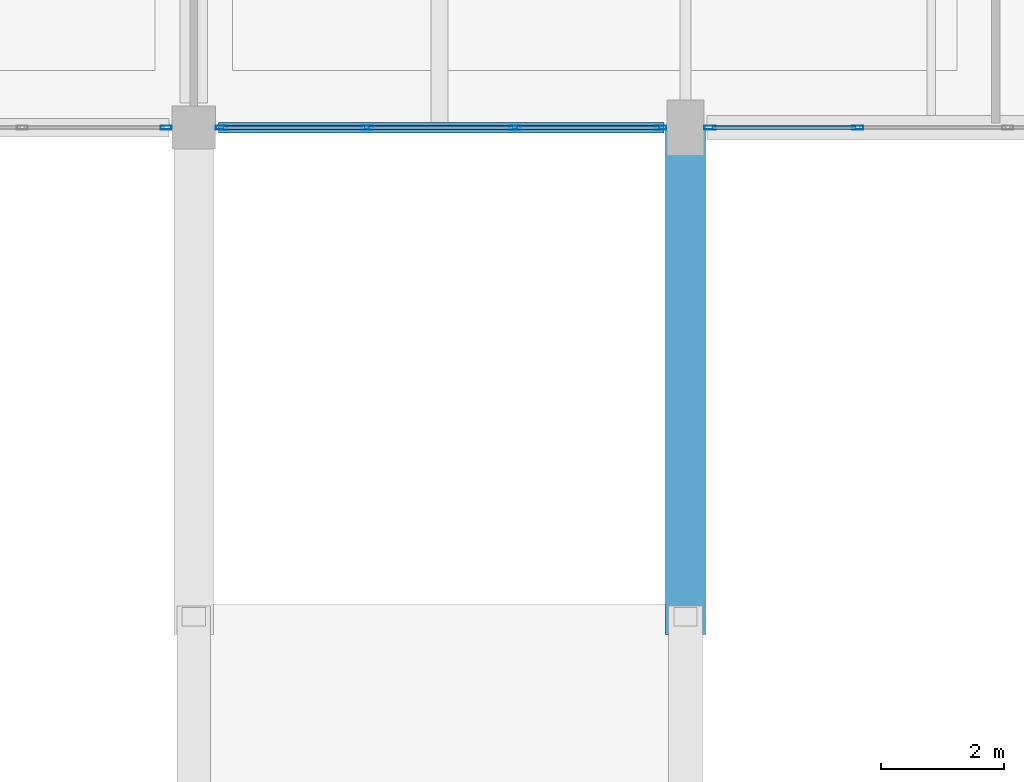
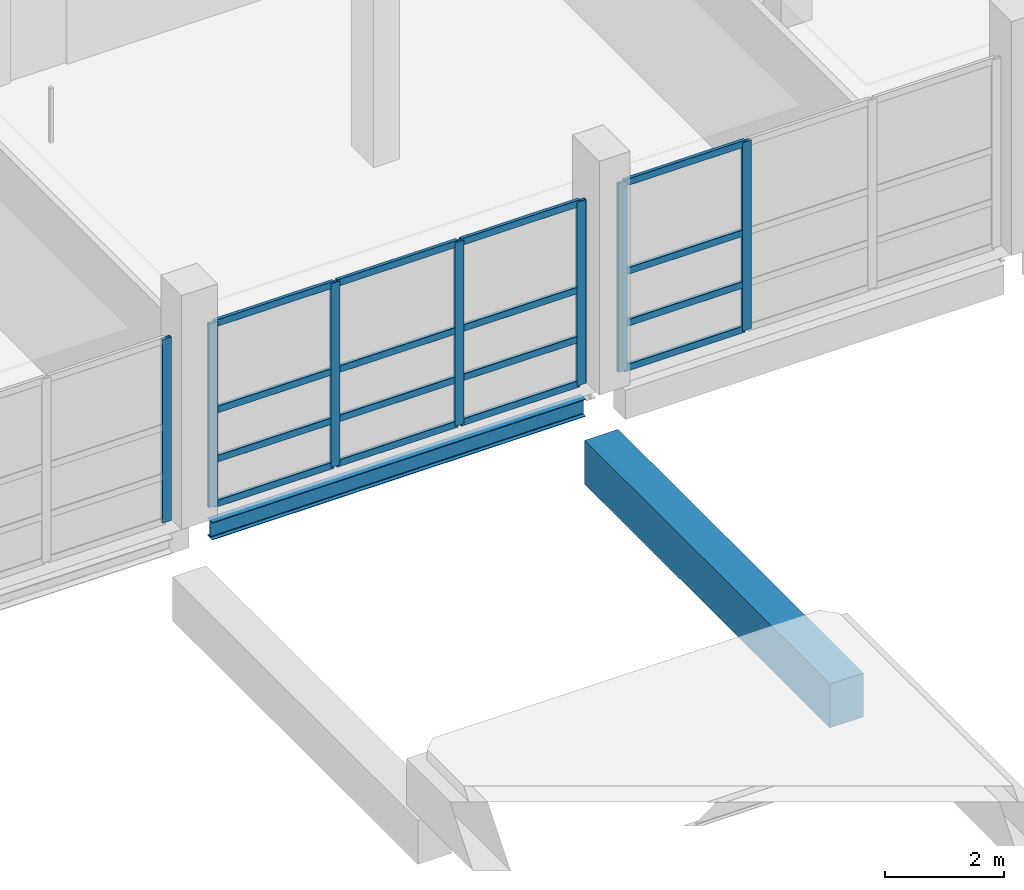
# One storey, part 51 of 107: 23 members, 2 beams, 3 elements without a shape of their own.
"""IFC4 building model written with IfcOpenShell, lengths in metres."""

import ifcopenshell
import ifcopenshell.guid

model = None  # the IFC model being written
_history = None  # IfcOwnerHistory: only IFC2X3 demands one
_inside = {}  # id of a spatial element -> (the spatial element, [elements in it])
_under = {}  # id of a project, library or spatial element -> (it, [spatial elements below it])
_declared = {}  # id of a project -> (the project, [libraries it declares])
_typed = {}  # id of a type object -> (the type object, [elements of that type])
_made_of = {}  # id of a material, layer set ... -> (it, [elements and type objects made of it])


def new_model(schema):
    """Start an empty IFC model of exactly this schema.

    Asked for "IFC4X3", IfcOpenShell would pick the latest addendum, in which some entities
    have other attributes; the version numbers below select the first issue.
    IFC2X3 requires an IfcOwnerHistory on every rooted entity: one is made here for all.
    """
    global model, _history
    if schema == "IFC4X3":
        model = ifcopenshell.file(schema_version=(4, 3, 0, 0))
    else:
        model = ifcopenshell.file(schema=schema)
    _inside.clear()
    _under.clear()
    _declared.clear()
    _typed.clear()
    _made_of.clear()
    _history = None
    if model.schema == "IFC2X3":
        org = make("IfcOrganization", Name="unknown")
        user = make(
            "IfcPersonAndOrganization",
            ThePerson=make("IfcPerson", FamilyName="unknown"),
            TheOrganization=org,
        )
        app = make(
            "IfcApplication",
            ApplicationDeveloper=org,
            Version="unknown",
            ApplicationFullName="unknown",
            ApplicationIdentifier="unknown",
        )
        _history = make(
            "IfcOwnerHistory",
            OwningUser=user,
            OwningApplication=app,
            ChangeAction="ADDED",
            CreationDate=0,
        )
    return model


def make(cls, **values):
    """One entity of the class cls with the attributes given. An attribute that is None is left unset."""
    return model.create_entity(
        cls, **{name: value for name, value in values.items() if value is not None}
    )


def rooted(cls, **values):
    """An entity with a GlobalId (a new one), such as an element, a storey or a relation."""
    return make(cls, GlobalId=ifcopenshell.guid.new(), OwnerHistory=_history, **values)


def si_unit(unit_type, name, prefix=None):
    """IfcSIUnit, for example si_unit("LENGTHUNIT", "METRE", prefix="MILLI")."""
    return make("IfcSIUnit", UnitType=unit_type, Prefix=prefix, Name=name)


def assignment(units):
    """IfcUnitAssignment: the units of a project."""
    return None if units is None else make("IfcUnitAssignment", Units=units)


def point(xyz):
    """IfcCartesianPoint."""
    return None if xyz is None else make("IfcCartesianPoint", Coordinates=xyz)


def direction(xyz):
    """IfcDirection."""
    return None if xyz is None else make("IfcDirection", DirectionRatios=xyz)


def frame(location, z_axis=None, x_axis=None):
    """IfcAxis2Placement3D, a coordinate frame: its origin and axes. An axis left out is left unset."""
    return make(
        "IfcAxis2Placement3D",
        Location=point(location),
        Axis=direction(z_axis),
        RefDirection=direction(x_axis),
    )


def frame_2d(location, x_axis=None):
    """IfcAxis2Placement2D, a coordinate frame in the plane: its origin and x axis."""
    return make(
        "IfcAxis2Placement2D", Location=point(location), RefDirection=direction(x_axis)
    )


def origin():
    """The frame at (0, 0, 0) with its axes left unset."""
    return frame((0.0, 0.0, 0.0))


def origin_2d():
    """The frame at (0, 0) in the plane with its x axis left unset."""
    return frame_2d((0.0, 0.0))


def place(relative_to, where):
    """IfcLocalPlacement: puts the frame where relative to a parent placement (None: the world)."""
    return make(
        "IfcLocalPlacement", PlacementRelTo=relative_to, RelativePlacement=where
    )


def context(
    kind, dimensions, precision=None, world=None, true_north=None, identifier=None
):
    """IfcGeometricRepresentationContext, for example the 3D "Model" context."""
    return make(
        "IfcGeometricRepresentationContext",
        ContextIdentifier=identifier,
        ContextType=kind,
        CoordinateSpaceDimension=dimensions,
        Precision=precision,
        WorldCoordinateSystem=world,
        TrueNorth=true_north,
    )


def subcontext(parent, identifier, kind, view, scale=None):
    """IfcGeometricRepresentationSubContext, for example "Body" below "Model"."""
    return make(
        "IfcGeometricRepresentationSubContext",
        ContextIdentifier=identifier,
        ContextType=kind,
        ParentContext=parent,
        TargetScale=scale,
        TargetView=view,
    )


def project(units=None, contexts=None):
    """IfcProject with its units and contexts."""
    return rooted(
        "IfcProject",
        Name="project",
        RepresentationContexts=contexts,
        UnitsInContext=assignment(units),
    )


def spatial(cls, under=None, at=None, **own):
    """A site, building, storey or space (cls), placed at a placement, below another one or the project."""
    s = rooted(cls, ObjectPlacement=at, **own)
    if under is not None:
        _under.setdefault(under.id(), (under, []))[1].append(s)
    return s


def profile(cls, at=None, kind="AREA", **sizes):
    """A parametric profile (cls). Its sizes go by their IFC names, for example OverallWidth=200.0."""
    return make(cls, ProfileType=kind, Position=at, **sizes)


def rectangle(**sizes):
    """IfcRectangleProfileDef."""
    return profile("IfcRectangleProfileDef", **sizes)


def hollow_rectangle(**sizes):
    """IfcRectangleHollowProfileDef."""
    return profile("IfcRectangleHollowProfileDef", **sizes)


def i_section(**sizes):
    """IfcIShapeProfileDef."""
    return profile("IfcIShapeProfileDef", **sizes)


def extrude(swept, where, along, depth):
    """IfcExtrudedAreaSolid: the profile swept, set in the frame where, extruded along a direction by depth."""
    return make(
        "IfcExtrudedAreaSolid",
        SweptArea=swept,
        Position=where,
        ExtrudedDirection=direction(along),
        Depth=depth,
    )


def shape(context_of_items, identifier, shape_type, items):
    """IfcShapeRepresentation: the items that make up one representation, for example the "Body"."""
    return make(
        "IfcShapeRepresentation",
        ContextOfItems=context_of_items,
        RepresentationIdentifier=identifier,
        RepresentationType=shape_type,
        Items=items,
    )


def material(Name=None, Category=None):
    """IfcMaterial."""
    return make("IfcMaterial", Name=Name, Category=Category)


def material_profile(
    of_material, cross_section, Name=None, Category=None, Priority=None
):
    """IfcMaterialProfile: a cross section and its material."""
    return make(
        "IfcMaterialProfile",
        Name=Name,
        Material=of_material,
        Profile=cross_section,
        Priority=Priority,
        Category=Category,
    )


def profile_set(profiles, Name=None, composite=None):
    """IfcMaterialProfileSet."""
    return make(
        "IfcMaterialProfileSet",
        Name=Name,
        MaterialProfiles=profiles,
        CompositeProfile=composite,
    )


def made_of(thing, what):
    """Note that an element or type object is made of a material, layer set ...; save() writes the relation."""
    if what is not None:
        _made_of.setdefault(what.id(), (what, []))[1].append(thing)
    return thing


def type_object(cls, material=None, **own):
    """A type object (cls), such as IfcWallType, which elements share."""
    return made_of(rooted(cls, **own), material)


def element(
    cls,
    number,
    at=None,
    inside=None,
    cuts=None,
    type_object=None,
    material=None,
    context=None,
    identifier="Body",
    shape_type=None,
    held_by="IfcProductDefinitionShape",
    body=None,
    shapes=None,
    **own,
):
    """One element of the class cls, such as IfcWall. Its Tag is "e" and its number.

    at: its placement. inside: the storey or other place that contains it. cuts: it is an
    opening in that element (IfcRelVoidsElement). A single representation is given by context,
    identifier, shape_type and body (its items); several are given by shapes. held_by: the class
    of the entity that holds the representations. save() writes the other relations.
    """
    e = rooted(cls, Tag="e%d" % number, ObjectPlacement=at, **own)
    if body is not None:
        shapes = [shape(context, identifier, shape_type, body)]
    if shapes is not None:
        e.Representation = make(held_by, Representations=shapes)
    if inside is not None:
        _inside.setdefault(inside.id(), (inside, []))[1].append(e)
    if cuts is not None:
        rooted(
            "IfcRelVoidsElement", RelatingBuildingElement=cuts, RelatedOpeningElement=e
        )
    if type_object is not None:
        _typed.setdefault(type_object.id(), (type_object, []))[1].append(e)
    return made_of(e, material)


def aggregate(whole, parts):
    """IfcRelAggregates: a whole, such as a stair, and the parts it consists of."""
    return rooted("IfcRelAggregates", RelatingObject=whole, RelatedObjects=parts)


def save(model, path):
    """Write the relations noted so far, then the file.

    IfcRelAggregates (storeys below a building ...), IfcRelContainedInSpatialStructure (elements
    in a storey), IfcRelDefinesByType, IfcRelAssociatesMaterial and IfcRelDeclares: one each for
    every whole, place, type object, material and project.
    """
    for whole, parts in _under.values():
        aggregate(whole, parts)
    for where, things in _inside.values():
        rooted(
            "IfcRelContainedInSpatialStructure",
            RelatedElements=things,
            RelatingStructure=where,
        )
    for kind, things in _typed.values():
        rooted("IfcRelDefinesByType", RelatedObjects=things, RelatingType=kind)
    for what, things in _made_of.values():
        rooted("IfcRelAssociatesMaterial", RelatedObjects=things, RelatingMaterial=what)
    for by, libraries in _declared.values():
        rooted("IfcRelDeclares", RelatingContext=by, RelatedDefinitions=libraries)
    model.write(path)


model = new_model("IFC4")

# Units and contexts
model_context = context("Model", 3, precision=1e-05, world=origin(), true_north=direction((0.0, 1.0)))
body_context = subcontext(model_context, "Body", "Model", "MODEL_VIEW")
ifc_project = project(units=[si_unit("LENGTHUNIT", "METRE"), si_unit("AREAUNIT", "SQUARE_METRE"), si_unit("VOLUMEUNIT", "CUBIC_METRE"), si_unit("PLANEANGLEUNIT", "RADIAN"), si_unit("MASSUNIT", "GRAM", prefix="KILO")], contexts=[model_context])

# Site, building, storey
site_placement = place(None, origin())
site = spatial("IfcSite", under=ifc_project, at=site_placement, CompositionType="ELEMENT")
building_placement = place(site_placement, origin())
building = spatial("IfcBuilding", under=site, at=building_placement, Name="Khelvaren Railside Concert Hall", CompositionType="ELEMENT")
storey_placement = place(building_placement, frame((0.0, 0.0, 15.0)))
storey = spatial("IfcBuildingStorey", under=building, at=storey_placement, Name="L03", CompositionType="ELEMENT", Elevation=15.0)

# Beam
ifc_material_1 = material(Name="Concrete C40/50", Category="concrete")
ifc_material_profile_1 = material_profile(ifc_material_1, rectangle(XDim=0.64990234375, YDim=0.89990234375, at=origin_2d()), Name="RCB 650x900")
ifc_profile_set_1 = profile_set([ifc_material_profile_1], Name="Concrete C40/50")
beam_type_1 = type_object("IfcBeamType", Name="BM18", PredefinedType="BEAM", material=ifc_profile_set_1)
beam_1_placement = place(storey_placement, frame((168.0, 82.949951171875, -1.639892578125), z_axis=(0.0, 1.0, 0.0), x_axis=(-1.0, 0.0, 0.0)))
element("IfcBeam", 1, at=beam_1_placement, inside=storey, type_object=beam_type_1, Name="East Backstage Artist Link Bridge L03 Seismic Corbel Seat 2", PredefinedType="BEAM", context=body_context, shape_type="SweptSolid", body=[
    extrude(rectangle(XDim=0.64990234375, YDim=0.89990234375, at=origin_2d()), origin(), (0.0, 0.0, 1.0), 8.25),
])

# Curtain wall, member
ifc_material_2 = material(Name="Double-glazed low-E dark acoustic glass", Category="glass")
curtain_wall_type_1 = type_object("IfcCurtainWallType", Name="CW69", PredefinedType="USERDEFINED", material=ifc_material_2)
curtain_wall_1_placement = place(storey_placement, origin())
curtain_wall_1 = element("IfcCurtainWall", 2, at=curtain_wall_1_placement, inside=storey, type_object=curtain_wall_type_1, Name="Unitised Curtain Wall CW-V5-L03-S-152", ObjectType="UNITISED CURTAIN WALL", PredefinedType="USERDEFINED")
ifc_material_3 = material(Name="Anodised architectural aluminium 6063-T6", Category="aluminium")
ifc_material_profile_2 = material_profile(ifc_material_3, hollow_rectangle(XDim=0.06494140625, YDim=0.179931640625, WallThickness=0.00390625, InnerFilletRadius=0.001953125, OuterFilletRadius=0.00390625, at=origin_2d()), Name="CWM 65x180x4")
ifc_profile_set_2 = profile_set([ifc_material_profile_2], Name="Anodised architectural aluminium 6063-T6")
member_type_1 = type_object("IfcMemberType", Name="CWM63", PredefinedType="MULLION", material=ifc_profile_set_2)
member_1_placement = place(storey_placement, frame((159.550048828125, 91.199951171875, 0.0), z_axis=(0.0, 0.0, 1.0), x_axis=(0.0, -1.0, 0.0)))
member_1 = element("IfcMember", 3, at=member_1_placement, type_object=member_type_1, Name="CW69 mullion 1", PredefinedType="MULLION", context=body_context, shape_type="SweptSolid", body=[
    extrude(hollow_rectangle(XDim=0.06494140625, YDim=0.179931640625, WallThickness=0.00390625, InnerFilletRadius=0.001953125, OuterFilletRadius=0.00390625, at=origin_2d()), origin(), (0.0, 0.0, 1.0), 3.77001953125),
])
aggregate(curtain_wall_1, [member_1])

# Curtain wall, members
curtain_wall_type_2 = type_object("IfcCurtainWallType", Name="CW32", PredefinedType="USERDEFINED", material=ifc_material_2)
curtain_wall_2_placement = place(storey_placement, origin())
curtain_wall_2 = element("IfcCurtainWall", 4, at=curtain_wall_2_placement, inside=storey, type_object=curtain_wall_type_2, Name="Unitised Curtain Wall CW-V5-L03-S-160", ObjectType="UNITISED CURTAIN WALL", PredefinedType="USERDEFINED")
member_2_placement = place(storey_placement, frame((167.60009765625, 91.199951171875, 0.0), z_axis=(0.0, 0.0, 1.0), x_axis=(0.0, -1.0, 0.0)))
member_2 = element("IfcMember", 5, at=member_2_placement, type_object=member_type_1, Name="CW32 mullion 1", PredefinedType="MULLION", context=body_context, shape_type="SweptSolid", body=[
    extrude(hollow_rectangle(XDim=0.06494140625, YDim=0.179931640625, WallThickness=0.00390625, InnerFilletRadius=0.001953125, OuterFilletRadius=0.00390625, at=origin_2d()), origin(), (0.0, 0.0, 1.0), 3.77001953125),
])
member_3_placement = place(storey_placement, frame((165.2275390625, 91.199951171875, 0.0), z_axis=(0.0, 0.0, 1.0), x_axis=(0.0, -1.0, 0.0)))
member_3 = element("IfcMember", 6, at=member_3_placement, type_object=member_type_1, Name="CW32 mullion 2", PredefinedType="MULLION", context=body_context, shape_type="SweptSolid", body=[
    extrude(hollow_rectangle(XDim=0.06494140625, YDim=0.179931640625, WallThickness=0.00390625, InnerFilletRadius=0.001953125, OuterFilletRadius=0.00390625, at=origin_2d()), origin(), (0.0, 0.0, 1.0), 3.77001953125),
])
member_4_placement = place(storey_placement, frame((162.822509765625, 91.199951171875, 0.0), z_axis=(0.0, 0.0, 1.0), x_axis=(0.0, -1.0, 0.0)))
member_4 = element("IfcMember", 7, at=member_4_placement, type_object=member_type_1, Name="CW32 mullion 3", PredefinedType="MULLION", context=body_context, shape_type="SweptSolid", body=[
    extrude(hollow_rectangle(XDim=0.06494140625, YDim=0.179931640625, WallThickness=0.00390625, InnerFilletRadius=0.001953125, OuterFilletRadius=0.00390625, at=origin_2d()), origin(), (0.0, 0.0, 1.0), 3.77001953125),
])
member_5_placement = place(storey_placement, frame((160.449951171875, 91.199951171875, 0.0), z_axis=(0.0, 0.0, 1.0), x_axis=(0.0, -1.0, 0.0)))
member_5 = element("IfcMember", 8, at=member_5_placement, type_object=member_type_1, Name="CW32 mullion 4", PredefinedType="MULLION", context=body_context, shape_type="SweptSolid", body=[
    extrude(hollow_rectangle(XDim=0.06494140625, YDim=0.179931640625, WallThickness=0.00390625, InnerFilletRadius=0.001953125, OuterFilletRadius=0.00390625, at=origin_2d()), origin(), (0.0, 0.0, 1.0), 3.77001953125),
])

curtain_wall_type_3 = type_object("IfcCurtainWallType", Name="CW94", PredefinedType="USERDEFINED", material=ifc_material_2)
curtain_wall_3_placement = place(storey_placement, origin())
curtain_wall_3 = element("IfcCurtainWall", 9, at=curtain_wall_3_placement, inside=storey, type_object=curtain_wall_type_3, Name="Unitised Curtain Wall CW-V5-L03-S-168", ObjectType="UNITISED CURTAIN WALL", PredefinedType="USERDEFINED")
member_6_placement = place(storey_placement, frame((170.805908203125, 91.199951171875, 0.0), z_axis=(0.0, 0.0, 1.0), x_axis=(0.0, -1.0, 0.0)))
member_6 = element("IfcMember", 10, at=member_6_placement, type_object=member_type_1, Name="CW94 mullion 3", PredefinedType="MULLION", context=body_context, shape_type="SweptSolid", body=[
    extrude(hollow_rectangle(XDim=0.06494140625, YDim=0.179931640625, WallThickness=0.00390625, InnerFilletRadius=0.001953125, OuterFilletRadius=0.00390625, at=origin_2d()), origin(), (0.0, 0.0, 1.0), 3.8701171875),
])
member_7_placement = place(storey_placement, frame((168.39990234375, 91.199951171875, 0.0), z_axis=(0.0, 0.0, 1.0), x_axis=(0.0, -1.0, 0.0)))
member_7 = element("IfcMember", 11, at=member_7_placement, type_object=member_type_1, Name="CW94 mullion 4", PredefinedType="MULLION", context=body_context, shape_type="SweptSolid", body=[
    extrude(hollow_rectangle(XDim=0.06494140625, YDim=0.179931640625, WallThickness=0.00390625, InnerFilletRadius=0.001953125, OuterFilletRadius=0.00390625, at=origin_2d()), origin(), (0.0, 0.0, 1.0), 3.8701171875),
])

# Member
ifc_material_profile_3 = material_profile(ifc_material_3, hollow_rectangle(XDim=0.06494140625, YDim=0.139892578125, WallThickness=0.00390625, InnerFilletRadius=0.001953125, OuterFilletRadius=0.00390625, at=origin_2d()), Name="CWT 65x140x4")
ifc_profile_set_3 = profile_set([ifc_material_profile_3], Name="Anodised architectural aluminium 6063-T6")
member_type_2 = type_object("IfcMemberType", Name="CWT72", PredefinedType="USERDEFINED", material=ifc_profile_set_3)
member_8_placement = place(storey_placement, frame((167.5673828125, 91.199951171875, 0.032470703125), z_axis=(-1.0, 0.0, 0.0), x_axis=(0.0, -1.0, 0.0)))
member_8 = element("IfcMember", 12, at=member_8_placement, type_object=member_type_2, Name="CW32 transom 1.1", ObjectType="TRANSOM", PredefinedType="USERDEFINED", context=body_context, shape_type="SweptSolid", body=[
    extrude(hollow_rectangle(XDim=0.06494140625, YDim=0.139892578125, WallThickness=0.00390625, InnerFilletRadius=0.001953125, OuterFilletRadius=0.00390625, at=origin_2d()), origin(), (0.0, 0.0, 1.0), 2.307373046875),
])

member_9_placement = place(storey_placement, frame((167.5673828125, 91.199951171875, 0.949951171875), z_axis=(-1.0, 0.0, 0.0), x_axis=(0.0, -1.0, 0.0)))
member_9 = element("IfcMember", 13, at=member_9_placement, type_object=member_type_2, Name="CW32 transom 1.2", ObjectType="TRANSOM", PredefinedType="USERDEFINED", context=body_context, shape_type="SweptSolid", body=[
    extrude(hollow_rectangle(XDim=0.06494140625, YDim=0.139892578125, WallThickness=0.00390625, InnerFilletRadius=0.001953125, OuterFilletRadius=0.00390625, at=origin_2d()), origin(), (0.0, 0.0, 1.0), 2.307373046875),
])

member_10_placement = place(storey_placement, frame((167.5673828125, 91.199951171875, 1.96044921875), z_axis=(-1.0, 0.0, 0.0), x_axis=(0.0, -1.0, 0.0)))
member_10 = element("IfcMember", 14, at=member_10_placement, type_object=member_type_2, Name="CW32 transom 1.3", ObjectType="TRANSOM", PredefinedType="USERDEFINED", context=body_context, shape_type="SweptSolid", body=[
    extrude(hollow_rectangle(XDim=0.06494140625, YDim=0.139892578125, WallThickness=0.00390625, InnerFilletRadius=0.001953125, OuterFilletRadius=0.00390625, at=origin_2d()), origin(), (0.0, 0.0, 1.0), 2.307373046875),
])

member_11_placement = place(storey_placement, frame((167.5673828125, 91.199951171875, 3.737548828125), z_axis=(-1.0, 0.0, 0.0), x_axis=(0.0, -1.0, 0.0)))
member_11 = element("IfcMember", 15, at=member_11_placement, type_object=member_type_2, Name="CW32 transom 1.4", ObjectType="TRANSOM", PredefinedType="USERDEFINED", context=body_context, shape_type="SweptSolid", body=[
    extrude(hollow_rectangle(XDim=0.06494140625, YDim=0.139892578125, WallThickness=0.00390625, InnerFilletRadius=0.001953125, OuterFilletRadius=0.00390625, at=origin_2d()), origin(), (0.0, 0.0, 1.0), 2.307373046875),
])

member_12_placement = place(storey_placement, frame((165.195068359375, 91.199951171875, 0.032470703125), z_axis=(-1.0, 0.0, 0.0), x_axis=(0.0, -1.0, 0.0)))
member_12 = element("IfcMember", 16, at=member_12_placement, type_object=member_type_2, Name="CW32 transom 2.1", ObjectType="TRANSOM", PredefinedType="USERDEFINED", context=body_context, shape_type="SweptSolid", body=[
    extrude(hollow_rectangle(XDim=0.06494140625, YDim=0.139892578125, WallThickness=0.00390625, InnerFilletRadius=0.001953125, OuterFilletRadius=0.00390625, at=origin_2d()), origin(), (0.0, 0.0, 1.0), 2.340087890625),
])

member_13_placement = place(storey_placement, frame((165.195068359375, 91.199951171875, 0.949951171875), z_axis=(-1.0, 0.0, 0.0), x_axis=(0.0, -1.0, 0.0)))
member_13 = element("IfcMember", 17, at=member_13_placement, type_object=member_type_2, Name="CW32 transom 2.2", ObjectType="TRANSOM", PredefinedType="USERDEFINED", context=body_context, shape_type="SweptSolid", body=[
    extrude(hollow_rectangle(XDim=0.06494140625, YDim=0.139892578125, WallThickness=0.00390625, InnerFilletRadius=0.001953125, OuterFilletRadius=0.00390625, at=origin_2d()), origin(), (0.0, 0.0, 1.0), 2.340087890625),
])

member_14_placement = place(storey_placement, frame((165.195068359375, 91.199951171875, 1.96044921875), z_axis=(-1.0, 0.0, 0.0), x_axis=(0.0, -1.0, 0.0)))
member_14 = element("IfcMember", 18, at=member_14_placement, type_object=member_type_2, Name="CW32 transom 2.3", ObjectType="TRANSOM", PredefinedType="USERDEFINED", context=body_context, shape_type="SweptSolid", body=[
    extrude(hollow_rectangle(XDim=0.06494140625, YDim=0.139892578125, WallThickness=0.00390625, InnerFilletRadius=0.001953125, OuterFilletRadius=0.00390625, at=origin_2d()), origin(), (0.0, 0.0, 1.0), 2.340087890625),
])

member_15_placement = place(storey_placement, frame((165.195068359375, 91.199951171875, 3.737548828125), z_axis=(-1.0, 0.0, 0.0), x_axis=(0.0, -1.0, 0.0)))
member_15 = element("IfcMember", 19, at=member_15_placement, type_object=member_type_2, Name="CW32 transom 2.4", ObjectType="TRANSOM", PredefinedType="USERDEFINED", context=body_context, shape_type="SweptSolid", body=[
    extrude(hollow_rectangle(XDim=0.06494140625, YDim=0.139892578125, WallThickness=0.00390625, InnerFilletRadius=0.001953125, OuterFilletRadius=0.00390625, at=origin_2d()), origin(), (0.0, 0.0, 1.0), 2.340087890625),
])

member_16_placement = place(storey_placement, frame((162.7900390625, 91.199951171875, 0.032470703125), z_axis=(-1.0, 0.0, 0.0), x_axis=(0.0, -1.0, 0.0)))
member_16 = element("IfcMember", 20, at=member_16_placement, type_object=member_type_2, Name="CW32 transom 3.1", ObjectType="TRANSOM", PredefinedType="USERDEFINED", context=body_context, shape_type="SweptSolid", body=[
    extrude(hollow_rectangle(XDim=0.06494140625, YDim=0.139892578125, WallThickness=0.00390625, InnerFilletRadius=0.001953125, OuterFilletRadius=0.00390625, at=origin_2d()), origin(), (0.0, 0.0, 1.0), 2.3076171875),
])

member_17_placement = place(storey_placement, frame((162.7900390625, 91.199951171875, 0.949951171875), z_axis=(-1.0, 0.0, 0.0), x_axis=(0.0, -1.0, 0.0)))
member_17 = element("IfcMember", 21, at=member_17_placement, type_object=member_type_2, Name="CW32 transom 3.2", ObjectType="TRANSOM", PredefinedType="USERDEFINED", context=body_context, shape_type="SweptSolid", body=[
    extrude(hollow_rectangle(XDim=0.06494140625, YDim=0.139892578125, WallThickness=0.00390625, InnerFilletRadius=0.001953125, OuterFilletRadius=0.00390625, at=origin_2d()), origin(), (0.0, 0.0, 1.0), 2.3076171875),
])

member_18_placement = place(storey_placement, frame((162.7900390625, 91.199951171875, 1.96044921875), z_axis=(-1.0, 0.0, 0.0), x_axis=(0.0, -1.0, 0.0)))
member_18 = element("IfcMember", 22, at=member_18_placement, type_object=member_type_2, Name="CW32 transom 3.3", ObjectType="TRANSOM", PredefinedType="USERDEFINED", context=body_context, shape_type="SweptSolid", body=[
    extrude(hollow_rectangle(XDim=0.06494140625, YDim=0.139892578125, WallThickness=0.00390625, InnerFilletRadius=0.001953125, OuterFilletRadius=0.00390625, at=origin_2d()), origin(), (0.0, 0.0, 1.0), 2.3076171875),
])

member_19_placement = place(storey_placement, frame((162.7900390625, 91.199951171875, 3.737548828125), z_axis=(-1.0, 0.0, 0.0), x_axis=(0.0, -1.0, 0.0)))
member_19 = element("IfcMember", 23, at=member_19_placement, type_object=member_type_2, Name="CW32 transom 3.4", ObjectType="TRANSOM", PredefinedType="USERDEFINED", context=body_context, shape_type="SweptSolid", body=[
    extrude(hollow_rectangle(XDim=0.06494140625, YDim=0.139892578125, WallThickness=0.00390625, InnerFilletRadius=0.001953125, OuterFilletRadius=0.00390625, at=origin_2d()), origin(), (0.0, 0.0, 1.0), 2.3076171875),
])

aggregate(curtain_wall_2, [member_2, member_3, member_4, member_5, member_8, member_9, member_10, member_11, member_12, member_13, member_14, member_15, member_16, member_17, member_18, member_19])

member_20_placement = place(storey_placement, frame((170.7734375, 91.199951171875, 0.032470703125), z_axis=(-1.0, 0.0, 0.0), x_axis=(0.0, -1.0, 0.0)))
member_20 = element("IfcMember", 24, at=member_20_placement, type_object=member_type_2, Name="CW94 transom 3.1", ObjectType="TRANSOM", PredefinedType="USERDEFINED", context=body_context, shape_type="SweptSolid", body=[
    extrude(hollow_rectangle(XDim=0.06494140625, YDim=0.139892578125, WallThickness=0.00390625, InnerFilletRadius=0.001953125, OuterFilletRadius=0.00390625, at=origin_2d()), origin(), (0.0, 0.0, 1.0), 2.3408203125),
])

member_21_placement = place(storey_placement, frame((170.7734375, 91.199951171875, 0.949951171875), z_axis=(-1.0, 0.0, 0.0), x_axis=(0.0, -1.0, 0.0)))
member_21 = element("IfcMember", 25, at=member_21_placement, type_object=member_type_2, Name="CW94 transom 3.2", ObjectType="TRANSOM", PredefinedType="USERDEFINED", context=body_context, shape_type="SweptSolid", body=[
    extrude(hollow_rectangle(XDim=0.06494140625, YDim=0.139892578125, WallThickness=0.00390625, InnerFilletRadius=0.001953125, OuterFilletRadius=0.00390625, at=origin_2d()), origin(), (0.0, 0.0, 1.0), 2.3408203125),
])

member_22_placement = place(storey_placement, frame((170.7734375, 91.199951171875, 2.012451171875), z_axis=(-1.0, 0.0, 0.0), x_axis=(0.0, -1.0, 0.0)))
member_22 = element("IfcMember", 26, at=member_22_placement, type_object=member_type_2, Name="CW94 transom 3.3", ObjectType="TRANSOM", PredefinedType="USERDEFINED", context=body_context, shape_type="SweptSolid", body=[
    extrude(hollow_rectangle(XDim=0.06494140625, YDim=0.139892578125, WallThickness=0.00390625, InnerFilletRadius=0.001953125, OuterFilletRadius=0.00390625, at=origin_2d()), origin(), (0.0, 0.0, 1.0), 2.3408203125),
])

member_23_placement = place(storey_placement, frame((170.7734375, 91.199951171875, 3.83740234375), z_axis=(-1.0, 0.0, 0.0), x_axis=(0.0, -1.0, 0.0)))
member_23 = element("IfcMember", 27, at=member_23_placement, type_object=member_type_2, Name="CW94 transom 3.4", ObjectType="TRANSOM", PredefinedType="USERDEFINED", context=body_context, shape_type="SweptSolid", body=[
    extrude(hollow_rectangle(XDim=0.06494140625, YDim=0.139892578125, WallThickness=0.00390625, InnerFilletRadius=0.001953125, OuterFilletRadius=0.00390625, at=origin_2d()), origin(), (0.0, 0.0, 1.0), 2.3408203125),
])

aggregate(curtain_wall_3, [member_6, member_7, member_20, member_21, member_22, member_23])

# Beam
ifc_material_4 = material(Name="Steel S355", Category="steel")
ifc_material_profile_4 = material_profile(ifc_material_4, i_section(OverallWidth=0.169921875, OverallDepth=0.360107421875, WebThickness=0.008056640625, FlangeThickness=0.0126953125, FilletRadius=0.01806640625, at=origin_2d()), Name="IPE 360")
ifc_profile_set_4 = profile_set([ifc_material_profile_4], Name="Steel S355")
beam_type_2 = type_object("IfcBeamType", Name="SP74", PredefinedType="SPANDREL", material=ifc_profile_set_4)
beam_2_placement = place(storey_placement, frame((160.39990234375, 91.199951171875, -0.4599609375), z_axis=(1.0, 0.0, 0.0), x_axis=(0.0, 1.0, 0.0)))
element("IfcBeam", 28, at=beam_2_placement, inside=storey, type_object=beam_type_2, Name="V5 L03 Spandrel X2.5", PredefinedType="SPANDREL", context=body_context, shape_type="SweptSolid", body=[
    extrude(i_section(OverallWidth=0.169921875, OverallDepth=0.360107421875, WebThickness=0.008056640625, FlangeThickness=0.0126953125, FilletRadius=0.01806640625, at=origin_2d()), origin(), (0.0, 0.0, 1.0), 7.25),
])

save(model, "model.ifc")
